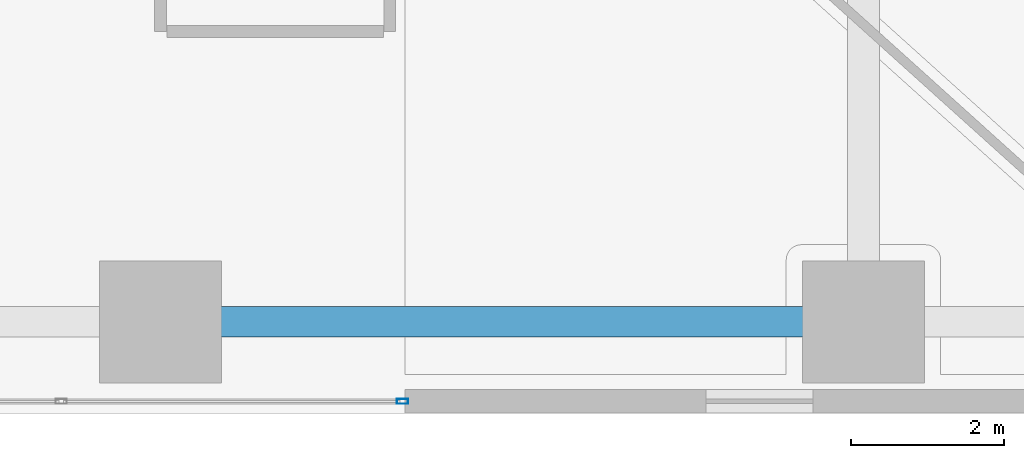
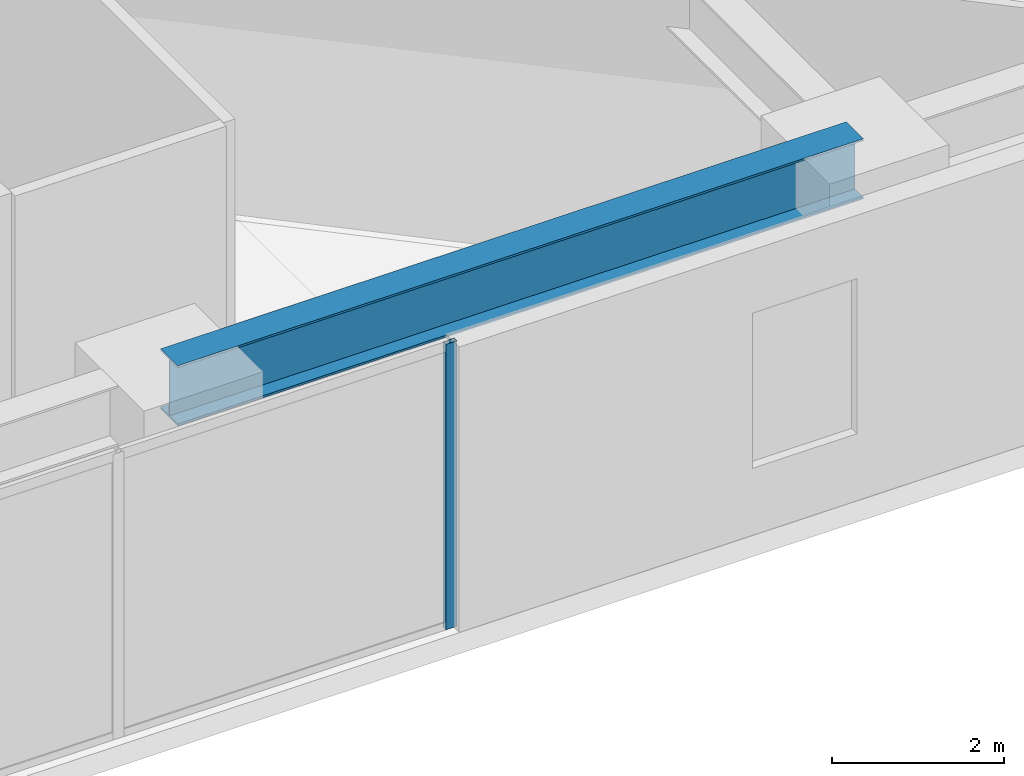
# One storey, part 5 of 24: 1 beam, 1 member, 1 element without a shape of its own.
"""IFC4 building model written with IfcOpenShell, lengths in metres."""

from ifc_helpers import new_model, si_unit, direction, frame, origin, origin_2d, place, context, subcontext, project, spatial, hollow_rectangle, i_section, extrude, source, transform, mapped, material, layer, layer_set, material_profile, profile_set, type_object, type_shapes, element, aggregate, save


model = new_model("IFC4")

# Units and contexts
model_context = context("Model", 3, precision=1e-05, world=origin(), true_north=direction((0.0, 1.0)))
body_context = subcontext(model_context, "Body", "Model", "MODEL_VIEW")
ifc_project = project(units=[si_unit("LENGTHUNIT", "METRE"), si_unit("AREAUNIT", "SQUARE_METRE"), si_unit("VOLUMEUNIT", "CUBIC_METRE"), si_unit("PLANEANGLEUNIT", "RADIAN"), si_unit("MASSUNIT", "GRAM", prefix="KILO")], contexts=[model_context])

# Site, building, storey
site_placement = place(None, origin())
site = spatial("IfcSite", under=ifc_project, at=site_placement, CompositionType="ELEMENT")
building_placement = place(site_placement, origin())
building = spatial("IfcBuilding", under=site, at=building_placement, Name="Talar Marvaseh", CompositionType="ELEMENT")
storey_placement = place(building_placement, frame((0.0, 0.0, 9.800048828125)))
storey = spatial("IfcBuildingStorey", under=building, at=storey_placement, Name="L02", CompositionType="ELEMENT", Elevation=9.800048828125)

# Beam
ifc_material_1 = material(Name="Steel S355", Category="steel")
ifc_material_profile_1 = material_profile(ifc_material_1, i_section(OverallWidth=0.39990234375, OverallDepth=0.85498046875, WebThickness=0.018310546875, FlangeThickness=0.029296875, at=origin_2d()), Name="W840x299")
ifc_profile_set_1 = profile_set([ifc_material_profile_1], Name="Steel S355")
beam_type = type_object("IfcBeamType", Name="Concourse Primary Girder W840x299", PredefinedType="BEAM", material=ifc_profile_set_1)
beam_placement = place(storey_placement, frame((32.800048828125, 9.199951171875, 3.87255859375), z_axis=(1.0, 0.0, 0.0), x_axis=(0.0, 1.0, 0.0)))
element("IfcBeam", 1, at=beam_placement, inside=storey, type_object=beam_type, Name="L02 Concourse Primary Girder W840x299", PredefinedType="BEAM", context=body_context, shape_type="SweptSolid", body=[
    extrude(i_section(OverallWidth=0.39990234375, OverallDepth=0.85498046875, WebThickness=0.018310546875, FlangeThickness=0.029296875, at=origin_2d()), origin(), (0.0, 0.0, 1.0), 9.199951171875),
])

# Curtain wall, member
ifc_material_2 = material(Name="Architectural Aluminium", Category="aluminium")
ifc_layer = layer(ifc_material_2, 0.25)
ifc_layer_set = layer_set([ifc_layer], Name="Architectural Aluminium")
curtain_wall_type = type_object("IfcCurtainWallType", Name="Station Podium Monumental Iwan Curtain Wall", PredefinedType="NOTDEFINED", material=ifc_layer_set)
curtain_wall_placement = place(storey_placement, origin())
curtain_wall = element("IfcCurtainWall", 2, at=curtain_wall_placement, inside=storey, type_object=curtain_wall_type, Name="L02 Station Podium Monumental Iwan Curtain Wall", PredefinedType="NOTDEFINED")
ifc_material_profile_2 = material_profile(ifc_material_2, hollow_rectangle(XDim=0.06494140625, YDim=0.14990234375, WallThickness=0.00390625, at=origin_2d()), Name="RHS150x65x4")
ifc_profile_set_2 = profile_set([ifc_material_profile_2], Name="Architectural Aluminium")
member_type = type_object("IfcMemberType", Name="Unitised Curtain Wall Slim Mullion RHS150x65x4", PredefinedType="MULLION", material=ifc_profile_set_2)
shared_shape = source(origin(), body_context, "Body", "SweptSolid", [
    extrude(hollow_rectangle(XDim=0.06494140625, YDim=0.14990234375, WallThickness=0.00390625, at=origin_2d()), origin(), (0.0, 0.0, 1.0), 4.050048828125),
])
type_shapes(member_type, [shared_shape])
member_placement = place(storey_placement, frame((35.967529296875, 8.159912109375, 0.0), z_axis=(0.0, 0.0, 1.0), x_axis=(0.0, -1.0, 0.0)))
member = element("IfcMember", 3, at=member_placement, type_object=member_type, Name="CW-POD mullion 1", PredefinedType="MULLION", context=body_context, shape_type="MappedRepresentation", body=[
    mapped(shared_shape, transform((0.0, 0.0, 0.0), x_axis=(1.0, 0.0, 0.0), y_axis=(0.0, 1.0, 0.0), z_axis=(0.0, 0.0, 1.0), scale=1.0)),
])
aggregate(curtain_wall, [member])

save(model, "model.ifc")
